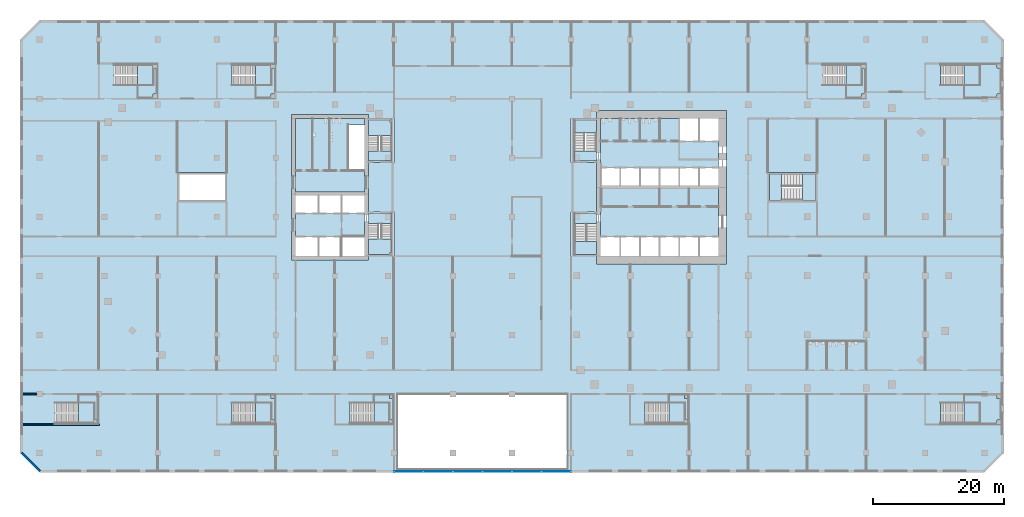
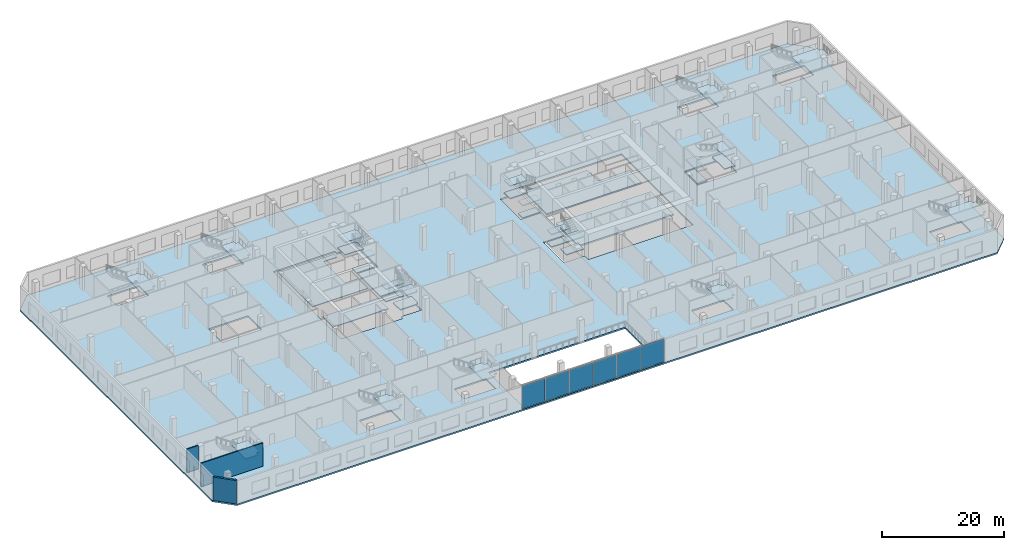
# One storey, part 5 of 23: 34 slabs, 6 plates, 3 walls, 17 elements without a shape of their own.
"""IFC4 building model written with IfcOpenShell, lengths in metres."""

from ifc_helpers import new_model, si_unit, direction, frame, frame_2d, origin, origin_2d, place, context, subcontext, project, spatial, polyline, rectangle, outline, extrude, material, layer, layer_set, type_object, element, aggregate, save


model = new_model("IFC4")

# Units and contexts
model_context = context("Model", 3, precision=1e-05, world=origin(), true_north=direction((0.0, 1.0)))
body_context = subcontext(model_context, "Body", "Model", "MODEL_VIEW")
ifc_project = project(units=[si_unit("LENGTHUNIT", "METRE"), si_unit("AREAUNIT", "SQUARE_METRE"), si_unit("VOLUMEUNIT", "CUBIC_METRE"), si_unit("PLANEANGLEUNIT", "RADIAN"), si_unit("MASSUNIT", "GRAM", prefix="KILO")], contexts=[model_context])

# Site, building, storey
site_placement = place(None, origin())
site = spatial("IfcSite", under=ifc_project, at=site_placement, CompositionType="ELEMENT")
building_placement = place(site_placement, origin())
building = spatial("IfcBuilding", under=site, at=building_placement, Name="Cinnabar Reach Civic Tower", CompositionType="ELEMENT")
storey_placement = place(building_placement, frame((0.0, 0.0, 6.0)))
storey = spatial("IfcBuildingStorey", under=building, at=storey_placement, Name="L01", CompositionType="ELEMENT", Elevation=6.0)

# Curtain wall, plates
ifc_material_1 = material(Name="Aluminium and clear double glazing", Category="aluminium")
curtain_wall_type = type_object("IfcCurtainWallType", Name="Hall front curtain wall", PredefinedType="NOTDEFINED", material=ifc_material_1)
curtain_wall_1_placement = place(storey_placement, origin())
curtain_wall_1 = element("IfcCurtainWall", 1, at=curtain_wall_1_placement, inside=storey, type_object=curtain_wall_type, Name="Hall front 3", PredefinedType="NOTDEFINED")
ifc_material_2 = material(Name="Clear double glazing", Category="glass")
ifc_layer_1 = layer(ifc_material_2, 0.028)
ifc_layer_set_1 = layer_set([ifc_layer_1], Name="Hall front glazing panel")
plate_type = type_object("IfcPlateType", Name="Hall front glazing panel", PredefinedType="CURTAIN_PANEL", material=ifc_layer_set_1)
plate_1_placement = place(storey_placement, frame((-24.735, -11.82, 0.06), z_axis=(0.0, 0.0, 1.0), x_axis=(1.0, 0.0, 0.0)))
plate_1 = element("IfcPlate", 2, at=plate_1_placement, type_object=plate_type, Name="CW-HALL-3 panel 1.1", PredefinedType="CURTAIN_PANEL", context=body_context, shape_type="SweptSolid", body=[
    extrude(rectangle(XDim=4.41, YDim=0.028, at=origin_2d()), origin(), (0.0, 0.0, 1.0), 4.58),
])
plate_2_placement = place(storey_placement, frame((-20.265, -11.82, 0.06), z_axis=(0.0, 0.0, 1.0), x_axis=(1.0, 0.0, 0.0)))
plate_2 = element("IfcPlate", 3, at=plate_2_placement, type_object=plate_type, Name="CW-HALL-3 panel 2.1", PredefinedType="CURTAIN_PANEL", context=body_context, shape_type="SweptSolid", body=[
    extrude(rectangle(XDim=4.41, YDim=0.028, at=origin_2d()), origin(), (0.0, 0.0, 1.0), 4.58),
])
aggregate(curtain_wall_1, [plate_1, plate_2])

curtain_wall_2_placement = place(storey_placement, origin())
curtain_wall_2 = element("IfcCurtainWall", 4, at=curtain_wall_2_placement, inside=storey, type_object=curtain_wall_type, Name="Hall front 4", PredefinedType="NOTDEFINED")
plate_3_placement = place(storey_placement, frame((-15.735, -11.82, 0.06), z_axis=(0.0, 0.0, 1.0), x_axis=(1.0, 0.0, 0.0)))
plate_3 = element("IfcPlate", 5, at=plate_3_placement, type_object=plate_type, Name="CW-HALL-4 panel 1.1", PredefinedType="CURTAIN_PANEL", context=body_context, shape_type="SweptSolid", body=[
    extrude(rectangle(XDim=4.41, YDim=0.028, at=origin_2d()), origin(), (0.0, 0.0, 1.0), 4.58),
])
plate_4_placement = place(storey_placement, frame((-11.265, -11.82, 0.06), z_axis=(0.0, 0.0, 1.0), x_axis=(1.0, 0.0, 0.0)))
plate_4 = element("IfcPlate", 6, at=plate_4_placement, type_object=plate_type, Name="CW-HALL-4 panel 2.1", PredefinedType="CURTAIN_PANEL", context=body_context, shape_type="SweptSolid", body=[
    extrude(rectangle(XDim=4.41, YDim=0.028, at=origin_2d()), origin(), (0.0, 0.0, 1.0), 4.58),
])
aggregate(curtain_wall_2, [plate_3, plate_4])

curtain_wall_3_placement = place(storey_placement, origin())
curtain_wall_3 = element("IfcCurtainWall", 7, at=curtain_wall_3_placement, inside=storey, type_object=curtain_wall_type, Name="Hall front 5", PredefinedType="NOTDEFINED")
plate_5_placement = place(storey_placement, frame((-6.735, -11.82, 0.06), z_axis=(0.0, 0.0, 1.0), x_axis=(1.0, 0.0, 0.0)))
plate_5 = element("IfcPlate", 8, at=plate_5_placement, type_object=plate_type, Name="CW-HALL-5 panel 1.1", PredefinedType="CURTAIN_PANEL", context=body_context, shape_type="SweptSolid", body=[
    extrude(rectangle(XDim=4.41, YDim=0.028, at=origin_2d()), origin(), (0.0, 0.0, 1.0), 4.58),
])
plate_6_placement = place(storey_placement, frame((-2.265, -11.82, 0.06), z_axis=(0.0, 0.0, 1.0), x_axis=(1.0, 0.0, 0.0)))
plate_6 = element("IfcPlate", 9, at=plate_6_placement, type_object=plate_type, Name="CW-HALL-5 panel 2.1", PredefinedType="CURTAIN_PANEL", context=body_context, shape_type="SweptSolid", body=[
    extrude(rectangle(XDim=4.41, YDim=0.028, at=origin_2d()), origin(), (0.0, 0.0, 1.0), 4.58),
])
aggregate(curtain_wall_3, [plate_5, plate_6])

# Stair, slab
ifc_material_3 = material(Name="Concrete C35", Category="concrete")
stair_type_1 = type_object("IfcStairType", Name="Podium exit stair 1500", PredefinedType="HALF_TURN_STAIR", material=ifc_material_3)
stair_1_placement = place(storey_placement, origin())
stair_1 = element("IfcStair", 10, at=stair_1_placement, inside=storey, type_object=stair_type_1, Name="Stair PS1", PredefinedType="HALF_TURN_STAIR")
ifc_material_4 = material(Name="Concrete C35/45", Category="concrete")
ifc_layer_2 = layer(ifc_material_4, 0.25)
ifc_layer_set_2 = layer_set([ifc_layer_2], Name="Podium exit stair landing 250")
slab_type_1 = type_object("IfcSlabType", Name="Podium exit stair landing 250", PredefinedType="LANDING", material=ifc_layer_set_2)
slab_1_placement = place(storey_placement, frame((0.0, 0.0, 2.25)))
slab_1 = element("IfcSlab", 11, at=slab_1_placement, type_object=slab_type_1, Name="PS1 landing 1", PredefinedType="LANDING", context=body_context, shape_type="SweptSolid", body=[
    extrude(outline(polyline([(-75.07, -4.55), (-75.07, -0.1), (-72.1, -0.1), (-72.1, -3.95), (-72.7, -3.95), (-72.7, -4.55), (-75.07, -4.55)])), origin(), (0.0, 0.0, 1.0), 0.25),
])
aggregate(stair_1, [slab_1])

stair_2_placement = place(storey_placement, origin())
stair_2 = element("IfcStair", 12, at=stair_2_placement, inside=storey, type_object=stair_type_1, Name="Stair PS2", PredefinedType="HALF_TURN_STAIR")
slab_2_placement = place(storey_placement, frame((0.0, 0.0, 2.25)))
slab_2 = element("IfcSlab", 13, at=slab_2_placement, type_object=slab_type_1, Name="PS2 landing 1", PredefinedType="LANDING", context=body_context, shape_type="SweptSolid", body=[
    extrude(outline(polyline([(-63.1, 45.7), (-63.7, 45.7), (-63.7, 45.1), (-66.07, 45.1), (-66.07, 50.25), (-63.7, 50.25), (-63.7, 49.65), (-63.1, 49.65), (-63.1, 45.7)])), origin(), (0.0, 0.0, 1.0), 0.25),
])
aggregate(stair_2, [slab_2])

stair_3_placement = place(storey_placement, origin())
stair_3 = element("IfcStair", 14, at=stair_3_placement, inside=storey, type_object=stair_type_1, Name="Stair PS3", PredefinedType="HALF_TURN_STAIR")
slab_3_placement = place(storey_placement, frame((0.0, 0.0, 2.25)))
slab_3 = element("IfcSlab", 15, at=slab_3_placement, type_object=slab_type_1, Name="PS3 landing 1", PredefinedType="LANDING", context=body_context, shape_type="SweptSolid", body=[
    extrude(outline(polyline([(17.9, -3.95), (17.3, -3.95), (17.3, -4.55), (14.93, -4.55), (14.93, -0.1), (17.3, -0.1), (17.3, -0.7), (17.9, -0.7), (17.9, -3.95)])), origin(), (0.0, 0.0, 1.0), 0.25),
])
aggregate(stair_3, [slab_3])

stair_4_placement = place(storey_placement, origin())
stair_4 = element("IfcStair", 16, at=stair_4_placement, inside=storey, type_object=stair_type_1, Name="Stair PS4", PredefinedType="HALF_TURN_STAIR")
slab_4_placement = place(storey_placement, frame((0.0, 0.0, 2.25)))
slab_4 = element("IfcSlab", 17, at=slab_4_placement, type_object=slab_type_1, Name="PS4 landing 1", PredefinedType="LANDING", context=body_context, shape_type="SweptSolid", body=[
    extrude(outline(polyline([(65.5, -3.95), (64.9, -3.95), (64.9, -4.55), (59.93, -4.55), (59.93, -0.1), (64.9, -0.1), (64.9, -0.7), (65.5, -0.7), (65.5, -3.95)])), origin(), (0.0, 0.0, 1.0), 0.25),
])
aggregate(stair_4, [slab_4])

stair_5_placement = place(storey_placement, origin())
stair_5 = element("IfcStair", 18, at=stair_5_placement, inside=storey, type_object=stair_type_1, Name="Stair PS5", PredefinedType="HALF_TURN_STAIR")
slab_5_placement = place(storey_placement, frame((0.0, 0.0, 2.25)))
slab_5 = element("IfcSlab", 19, at=slab_5_placement, type_object=slab_type_1, Name="PS5 landing 1", PredefinedType="LANDING", context=body_context, shape_type="SweptSolid", body=[
    extrude(outline(polyline([(65.5, 45.7), (64.9, 45.7), (64.9, 45.1), (59.93, 45.1), (59.93, 50.25), (64.9, 50.25), (64.9, 49.65), (65.5, 49.65), (65.5, 45.7)])), origin(), (0.0, 0.0, 1.0), 0.25),
])
aggregate(stair_5, [slab_5])

stair_6_placement = place(storey_placement, origin())
stair_6 = element("IfcStair", 20, at=stair_6_placement, inside=storey, type_object=stair_type_1, Name="Stair PS6", PredefinedType="HALF_TURN_STAIR")
slab_6_placement = place(storey_placement, frame((0.0, 0.0, 2.25)))
slab_6 = element("IfcSlab", 21, at=slab_6_placement, type_object=slab_type_1, Name="PS6 landing 1", PredefinedType="LANDING", context=body_context, shape_type="SweptSolid", body=[
    extrude(outline(polyline([(44.9, 45.7), (44.3, 45.7), (44.3, 45.1), (41.93, 45.1), (41.93, 50.25), (44.3, 50.25), (44.3, 49.65), (44.9, 49.65), (44.9, 45.7)])), origin(), (0.0, 0.0, 1.0), 0.25),
])
aggregate(stair_6, [slab_6])

stair_7_placement = place(storey_placement, origin())
stair_7 = element("IfcStair", 22, at=stair_7_placement, inside=storey, type_object=stair_type_1, Name="Stair PS7", PredefinedType="HALF_TURN_STAIR")
slab_7_placement = place(storey_placement, frame((0.0, 0.0, 2.25)))
slab_7 = element("IfcSlab", 23, at=slab_7_placement, type_object=slab_type_1, Name="PS7 landing 1", PredefinedType="LANDING", context=body_context, shape_type="SweptSolid", body=[
    extrude(outline(polyline([(-45.1, 45.7), (-45.7, 45.7), (-45.7, 45.1), (-48.07, 45.1), (-48.07, 50.25), (-45.7, 50.25), (-45.7, 49.65), (-45.1, 49.65), (-45.1, 45.7)])), origin(), (0.0, 0.0, 1.0), 0.25),
])
aggregate(stair_7, [slab_7])

stair_8_placement = place(storey_placement, origin())
stair_8 = element("IfcStair", 24, at=stair_8_placement, inside=storey, type_object=stair_type_1, Name="Stair PS8", PredefinedType="HALF_TURN_STAIR")
slab_8_placement = place(storey_placement, frame((0.0, 0.0, 2.25)))
slab_8 = element("IfcSlab", 25, at=slab_8_placement, type_object=slab_type_1, Name="PS8 landing 1", PredefinedType="LANDING", context=body_context, shape_type="SweptSolid", body=[
    extrude(outline(polyline([(-45.1, -3.95), (-45.7, -3.95), (-45.7, -4.55), (-48.07, -4.55), (-48.07, -0.1), (-45.7, -0.1), (-45.7, -0.7), (-45.1, -0.7), (-45.1, -3.95)])), origin(), (0.0, 0.0, 1.0), 0.25),
])
aggregate(stair_8, [slab_8])

stair_9_placement = place(storey_placement, origin())
stair_9 = element("IfcStair", 26, at=stair_9_placement, inside=storey, type_object=stair_type_1, Name="Stair PS9", PredefinedType="HALF_TURN_STAIR")
slab_9_placement = place(storey_placement, frame((0.0, 0.0, 2.25)))
slab_9 = element("IfcSlab", 27, at=slab_9_placement, type_object=slab_type_1, Name="PS9 landing 1", PredefinedType="LANDING", context=body_context, shape_type="SweptSolid", body=[
    extrude(outline(polyline([(-27.1, -3.95), (-27.7, -3.95), (-27.7, -4.55), (-30.07, -4.55), (-30.07, -0.1), (-27.7, -0.1), (-27.7, -0.7), (-27.1, -0.7), (-27.1, -3.95)])), origin(), (0.0, 0.0, 1.0), 0.25),
])
aggregate(stair_9, [slab_9])

# Slab
ifc_material_5 = material(Name="Concrete C40", Category="concrete")
ifc_layer_3 = layer(ifc_material_5, 0.3)
ifc_layer_set_3 = layer_set([ifc_layer_3], Name="Podium flat plate 300 REI 150")
slab_type_2 = type_object("IfcSlabType", Name="Podium flat plate 300 REI 150", PredefinedType="FLOOR", material=ifc_layer_set_3)
slab_10_placement = place(storey_placement, frame((0.0, 0.0, -0.3)))
element("IfcSlab", 28, at=slab_10_placement, inside=storey, type_object=slab_type_2, Name="Podium flat plate 300 L01", PredefinedType="FLOOR", context=body_context, shape_type="SweptSolid", body=[
    extrude(outline(polyline([(-84.0, -9.0), (-84.0, 54.0), (-81.0, 57.0), (63.0, 57.0), (66.0, 54.0), (66.0, -9.0), (63.0, -12.0), (-81.0, -12.0), (-84.0, -9.0)]), holes=[polyline([(-78.7, -1.3), (-78.7, -4.5), (-72.7, -4.5), (-72.7, -1.3), (-78.7, -1.3)]), polyline([(-45.7, -1.3), (-51.7, -1.3), (-51.7, -4.5), (-45.7, -4.5), (-45.7, -1.3)]), polyline([(-27.7, -1.3), (-33.7, -1.3), (-33.7, -4.5), (-27.7, -4.5), (-27.7, -1.3)]), polyline([(-52.5, 33.75), (-60.0, 33.75), (-60.0, 29.25), (-52.5, 29.25), (-52.5, 33.75)]), polyline([(-42.6, 20.4), (-30.9, 20.4), (-30.9, 21.0), (-27.0, 21.0), (-27.0, 27.75), (-30.9, 27.75), (-30.9, 35.25), (-27.0, 35.25), (-27.0, 42.0), (-30.9, 42.0), (-30.9, 42.6), (-42.6, 42.6), (-42.6, 20.4)]), polyline([(-63.7, 50.2), (-69.7, 50.2), (-69.7, 47.0), (-63.7, 47.0), (-63.7, 50.2)]), polyline([(-45.7, 50.2), (-51.7, 50.2), (-51.7, 47.0), (-45.7, 47.0), (-45.7, 50.2)]), polyline([(-26.4, 0.0), (-26.4, -11.4), (-0.6, -11.4), (-0.6, 0.0), (-26.4, 0.0)]), polyline([(17.3, -1.3), (11.3, -1.3), (11.3, -4.5), (17.3, -4.5), (17.3, -1.3)]), polyline([(62.3, -1.3), (56.3, -1.3), (56.3, -4.5), (62.3, -4.5), (62.3, -1.3)]), polyline([(3.9, 42.0), (0.0, 42.0), (0.0, 35.25), (3.9, 35.25), (3.9, 27.75), (0.0, 27.75), (0.0, 21.0), (3.9, 21.0), (3.9, 19.8), (23.7, 19.8), (23.7, 43.2), (3.9, 43.2), (3.9, 42.0)]), polyline([(37.5, 33.75), (30.0, 33.75), (30.0, 29.25), (37.5, 29.25), (37.5, 33.75)]), polyline([(44.3, 47.0), (44.3, 50.2), (38.3, 50.2), (38.3, 47.0), (44.3, 47.0)]), polyline([(62.3, 47.0), (62.3, 50.2), (56.3, 50.2), (56.3, 47.0), (62.3, 47.0)])]), origin(), (0.0, 0.0, 1.0), 0.3),
])

# Stair, slabs
ifc_material_6 = material(Name="Concrete C40/50", Category="concrete")
stair_type_2 = type_object("IfcStairType", Name="T1 Exit stair, double return", PredefinedType="DOUBLE_RETURN_STAIR", material=ifc_material_6)
stair_10_placement = place(storey_placement, origin())
stair_10 = element("IfcStair", 29, at=stair_10_placement, inside=storey, type_object=stair_type_2, Name="Stair T1-S1", PredefinedType="DOUBLE_RETURN_STAIR")
ifc_layer_4 = layer(ifc_material_6, 0.2)
ifc_layer_set_4 = layer_set([ifc_layer_4], Name="T1 Stair landing 200, Concrete C40/50")
slab_type_3 = type_object("IfcSlabType", Name="T1 Stair landing 200, Concrete C40/50", PredefinedType="LANDING", material=ifc_layer_set_4)
slab_11_placement = place(storey_placement, frame((0.0, 0.0, -0.2)))
slab_11 = element("IfcSlab", 30, at=slab_11_placement, type_object=slab_type_3, Name="T1-S1 landing 1", PredefinedType="LANDING", context=body_context, shape_type="SweptSolid", body=[
    extrude(outline(polyline([(3.9, 25.95), (3.9, 27.5), (0.5, 27.5), (0.5, 25.95), (3.9, 25.95)])), origin(), (0.0, 0.0, 1.0), 0.2),
])
slab_12_placement = place(storey_placement, frame((0.0, 0.0, 1.05)))
slab_12 = element("IfcSlab", 31, at=slab_12_placement, type_object=slab_type_3, Name="T1-S1 landing 2", PredefinedType="LANDING", context=body_context, shape_type="SweptSolid", body=[
    extrude(outline(polyline([(3.9, 21.25), (3.9, 23.205), (0.6, 23.205), (0.6, 21.25), (3.9, 21.25)])), origin(), (0.0, 0.0, 1.0), 0.2),
])
slab_13_placement = place(storey_placement, frame((0.0, 0.0, 2.3)))
slab_13 = element("IfcSlab", 32, at=slab_13_placement, type_object=slab_type_3, Name="T1-S1 landing 3", PredefinedType="LANDING", context=body_context, shape_type="SweptSolid", body=[
    extrude(outline(polyline([(3.9, 25.95), (3.9, 27.5), (0.5, 27.5), (0.5, 25.95), (3.9, 25.95)])), origin(), (0.0, 0.0, 1.0), 0.2),
])
slab_14_placement = place(storey_placement, frame((0.0, 0.0, 3.55)))
slab_14 = element("IfcSlab", 33, at=slab_14_placement, type_object=slab_type_3, Name="T1-S1 landing 4", PredefinedType="LANDING", context=body_context, shape_type="SweptSolid", body=[
    extrude(outline(polyline([(3.9, 21.25), (3.9, 23.205), (0.6, 23.205), (0.6, 21.25), (3.9, 21.25)])), origin(), (0.0, 0.0, 1.0), 0.2),
])
aggregate(stair_10, [slab_11, slab_12, slab_13, slab_14])

stair_11_placement = place(storey_placement, origin())
stair_11 = element("IfcStair", 34, at=stair_11_placement, inside=storey, type_object=stair_type_2, Name="Stair T1-S2", PredefinedType="DOUBLE_RETURN_STAIR")
slab_15_placement = place(storey_placement, frame((0.0, 0.0, -0.2)))
slab_15 = element("IfcSlab", 35, at=slab_15_placement, type_object=slab_type_3, Name="T1-S2 landing 1", PredefinedType="LANDING", context=body_context, shape_type="SweptSolid", body=[
    extrude(outline(polyline([(3.9, 35.5), (3.9, 37.05), (0.5, 37.05), (0.5, 35.5), (3.9, 35.5)])), origin(), (0.0, 0.0, 1.0), 0.2),
])
slab_16_placement = place(storey_placement, frame((0.0, 0.0, 1.05)))
slab_16 = element("IfcSlab", 36, at=slab_16_placement, type_object=slab_type_3, Name="T1-S2 landing 2", PredefinedType="LANDING", context=body_context, shape_type="SweptSolid", body=[
    extrude(outline(polyline([(3.9, 39.795), (3.9, 41.75), (0.6, 41.75), (0.6, 39.795), (3.9, 39.795)])), origin(), (0.0, 0.0, 1.0), 0.2),
])
slab_17_placement = place(storey_placement, frame((0.0, 0.0, 2.3)))
slab_17 = element("IfcSlab", 37, at=slab_17_placement, type_object=slab_type_3, Name="T1-S2 landing 3", PredefinedType="LANDING", context=body_context, shape_type="SweptSolid", body=[
    extrude(outline(polyline([(3.9, 35.5), (3.9, 37.05), (0.5, 37.05), (0.5, 35.5), (3.9, 35.5)])), origin(), (0.0, 0.0, 1.0), 0.2),
])
slab_18_placement = place(storey_placement, frame((0.0, 0.0, 3.55)))
slab_18 = element("IfcSlab", 38, at=slab_18_placement, type_object=slab_type_3, Name="T1-S2 landing 4", PredefinedType="LANDING", context=body_context, shape_type="SweptSolid", body=[
    extrude(outline(polyline([(3.9, 39.795), (3.9, 41.75), (0.6, 41.75), (0.6, 39.795), (3.9, 39.795)])), origin(), (0.0, 0.0, 1.0), 0.2),
])
aggregate(stair_11, [slab_15, slab_16, slab_17, slab_18])

stair_12_placement = place(storey_placement, origin())
stair_12 = element("IfcStair", 39, at=stair_12_placement, inside=storey, type_object=stair_type_2, Name="Stair T1-S3", PredefinedType="DOUBLE_RETURN_STAIR")
slab_19_placement = place(storey_placement, frame((0.0, 0.0, -0.2)))
slab_19 = element("IfcSlab", 40, at=slab_19_placement, type_object=slab_type_3, Name="T1-S3 landing 1", PredefinedType="LANDING", context=body_context, shape_type="SweptSolid", body=[
    extrude(outline(polyline([(30.25, 29.5), (32.05, 29.5), (32.05, 33.5), (30.25, 33.5), (30.25, 29.5)])), origin(), (0.0, 0.0, 1.0), 0.2),
])
slab_20_placement = place(storey_placement, frame((0.0, 0.0, 1.05)))
slab_20 = element("IfcSlab", 41, at=slab_20_placement, type_object=slab_type_3, Name="T1-S3 landing 2", PredefinedType="LANDING", context=body_context, shape_type="SweptSolid", body=[
    extrude(outline(polyline([(35.29, 29.5), (37.25, 29.5), (37.25, 33.5), (35.29, 33.5), (35.29, 29.5)])), origin(), (0.0, 0.0, 1.0), 0.2),
])
slab_21_placement = place(storey_placement, frame((0.0, 0.0, 2.3)))
slab_21 = element("IfcSlab", 42, at=slab_21_placement, type_object=slab_type_3, Name="T1-S3 landing 3", PredefinedType="LANDING", context=body_context, shape_type="SweptSolid", body=[
    extrude(outline(polyline([(30.25, 29.5), (32.05, 29.5), (32.05, 33.5), (30.25, 33.5), (30.25, 29.5)])), origin(), (0.0, 0.0, 1.0), 0.2),
])
slab_22_placement = place(storey_placement, frame((0.0, 0.0, 3.55)))
slab_22 = element("IfcSlab", 43, at=slab_22_placement, type_object=slab_type_3, Name="T1-S3 landing 4", PredefinedType="LANDING", context=body_context, shape_type="SweptSolid", body=[
    extrude(outline(polyline([(35.29, 29.5), (37.25, 29.5), (37.25, 33.5), (35.29, 33.5), (35.29, 29.5)])), origin(), (0.0, 0.0, 1.0), 0.2),
])
aggregate(stair_12, [slab_19, slab_20, slab_21, slab_22])

# Slabs
ifc_layer_5 = layer(ifc_material_6, 0.3)
ifc_layer_set_5 = layer_set([ifc_layer_5], Name="T1 core floor slab 300")
slab_type_4 = type_object("IfcSlabType", Name="T1 core floor slab 300", PredefinedType="FLOOR", material=ifc_layer_set_5)
slab_23_placement = place(storey_placement, frame((0.0, 0.0, -0.3)))
element("IfcSlab", 44, at=slab_23_placement, inside=storey, type_object=slab_type_4, Name="Core floor slab L01", PredefinedType="FLOOR", context=body_context, shape_type="SweptSolid", body=[
    extrude(outline(polyline([(22.5, 24.0), (19.5, 24.0), (16.5, 24.0), (13.5, 24.0), (10.5, 24.0), (7.5, 24.0), (4.5, 24.0), (4.5, 31.5), (7.5, 31.5), (10.5, 31.5), (13.5, 31.5), (16.5, 31.5), (19.5, 31.5), (22.5, 31.5), (22.5, 24.0)])), origin(), (0.0, 0.0, 1.0), 0.3),
])
slab_24_placement = place(storey_placement, frame((0.0, 0.0, -0.3)))
element("IfcSlab", 45, at=slab_24_placement, inside=storey, type_object=slab_type_4, Name="Core floor slab L01", PredefinedType="FLOOR", context=body_context, shape_type="SweptSolid", body=[
    extrude(outline(polyline([(22.5, 34.5), (19.5, 34.5), (16.5, 34.5), (13.5, 34.5), (10.5, 34.5), (7.5, 34.5), (4.5, 34.5), (4.5, 42.0), (16.5, 42.0), (16.5, 38.5), (19.5, 38.5), (22.5, 38.5), (22.5, 34.5)])), origin(), (0.0, 0.0, 1.0), 0.3),
])
ifc_layer_6 = layer(ifc_material_5, 0.15)
ifc_layer_set_6 = layer_set([ifc_layer_6], Name="T2 Core floor slab 150")
slab_type_5 = type_object("IfcSlabType", Name="T2 Core floor slab 150", PredefinedType="FLOOR", material=ifc_layer_set_6)
slab_25_placement = place(storey_placement, frame((0.0, 0.0, -0.15)))
element("IfcSlab", 46, at=slab_25_placement, inside=storey, type_object=slab_type_5, Name="Core floor slab L01", PredefinedType="FLOOR", context=body_context, shape_type="SweptSolid", body=[
    extrude(outline(polyline([(-42.0, 42.0), (-31.5, 42.0), (-31.5, 41.0), (-34.0, 41.0), (-34.0, 34.0), (-31.5, 34.0), (-31.5, 30.75), (-42.0, 30.75), (-42.0, 42.0)])), origin(), (0.0, 0.0, 1.0), 0.15),
])
slab_26_placement = place(storey_placement, frame((0.0, 0.0, -0.15)))
element("IfcSlab", 47, at=slab_26_placement, inside=storey, type_object=slab_type_5, Name="Core floor slab L01", PredefinedType="FLOOR", context=body_context, shape_type="SweptSolid", body=[
    extrude(outline(polyline([(-35.0, 24.0), (-38.5, 24.0), (-42.0, 24.0), (-42.0, 27.5), (-38.5, 27.5), (-35.0, 27.5), (-31.5, 27.5), (-31.5, 24.0), (-35.0, 24.0)])), origin(), (0.0, 0.0, 1.0), 0.15),
])

# Stair, slabs
stair_type_3 = type_object("IfcStairType", Name="T2 Exit stair 1500", PredefinedType="HALF_TURN_STAIR", material=ifc_material_5)
stair_13_placement = place(storey_placement, origin())
stair_13 = element("IfcStair", 48, at=stair_13_placement, inside=storey, type_object=stair_type_3, Name="Exit stair 1", PredefinedType="HALF_TURN_STAIR")
ifc_layer_7 = layer(ifc_material_5, 0.2)
ifc_layer_set_7 = layer_set([ifc_layer_7], Name="T2 Stair landing 200")
slab_type_6 = type_object("IfcSlabType", Name="T2 Stair landing 200", PredefinedType="LANDING", material=ifc_layer_set_7)
slab_27_placement = place(storey_placement, frame((0.0, 0.0, -0.2)))
slab_27 = element("IfcSlab", 49, at=slab_27_placement, type_object=slab_type_6, Name="ST1 landing 1", PredefinedType="LANDING", context=body_context, shape_type="SweptSolid", body=[
    extrude(outline(polyline([(-30.9, 26.0), (-30.9, 27.5), (-27.4, 27.5), (-27.4, 26.0), (-30.9, 26.0)])), origin(), (0.0, 0.0, 1.0), 0.2),
])
slab_28_placement = place(storey_placement, frame((0.0, 0.0, 1.05)))
slab_28 = element("IfcSlab", 50, at=slab_28_placement, type_object=slab_type_6, Name="ST1 landing 2", PredefinedType="LANDING", context=body_context, shape_type="SweptSolid", body=[
    extrude(outline(polyline([(-30.9, 21.25), (-30.9, 23.6375), (-27.4, 23.6375), (-27.4, 21.55), (-27.7, 21.55), (-27.7, 21.25), (-30.9, 21.25)])), origin(), (0.0, 0.0, 1.0), 0.2),
])
slab_29_placement = place(storey_placement, frame((0.0, 0.0, 2.3)))
slab_29 = element("IfcSlab", 51, at=slab_29_placement, type_object=slab_type_6, Name="ST1 landing 3", PredefinedType="LANDING", context=body_context, shape_type="SweptSolid", body=[
    extrude(outline(polyline([(-30.9, 26.0), (-30.9, 27.5), (-27.4, 27.5), (-27.4, 26.0), (-30.9, 26.0)])), origin(), (0.0, 0.0, 1.0), 0.2),
])
slab_30_placement = place(storey_placement, frame((0.0, 0.0, 3.55)))
slab_30 = element("IfcSlab", 52, at=slab_30_placement, type_object=slab_type_6, Name="ST1 landing 4", PredefinedType="LANDING", context=body_context, shape_type="SweptSolid", body=[
    extrude(outline(polyline([(-30.9, 21.25), (-30.9, 23.6375), (-27.4, 23.6375), (-27.4, 21.55), (-27.7, 21.55), (-27.7, 21.25), (-30.9, 21.25)])), origin(), (0.0, 0.0, 1.0), 0.2),
])
aggregate(stair_13, [slab_27, slab_28, slab_29, slab_30])

stair_14_placement = place(storey_placement, origin())
stair_14 = element("IfcStair", 53, at=stair_14_placement, inside=storey, type_object=stair_type_3, Name="Exit stair 2", PredefinedType="HALF_TURN_STAIR")
slab_31_placement = place(storey_placement, frame((0.0, 0.0, -0.2)))
slab_31 = element("IfcSlab", 54, at=slab_31_placement, type_object=slab_type_6, Name="ST2 landing 1", PredefinedType="LANDING", context=body_context, shape_type="SweptSolid", body=[
    extrude(outline(polyline([(-30.9, 35.5), (-30.9, 37.0), (-27.4, 37.0), (-27.4, 35.5), (-30.9, 35.5)])), origin(), (0.0, 0.0, 1.0), 0.2),
])
slab_32_placement = place(storey_placement, frame((0.0, 0.0, 1.05)))
slab_32 = element("IfcSlab", 55, at=slab_32_placement, type_object=slab_type_6, Name="ST2 landing 2", PredefinedType="LANDING", context=body_context, shape_type="SweptSolid", body=[
    extrude(outline(polyline([(-27.4, 39.3625), (-30.9, 39.3625), (-30.9, 41.75), (-27.7, 41.75), (-27.7, 41.45), (-27.4, 41.45), (-27.4, 39.3625)])), origin(), (0.0, 0.0, 1.0), 0.2),
])
slab_33_placement = place(storey_placement, frame((0.0, 0.0, 2.3)))
slab_33 = element("IfcSlab", 56, at=slab_33_placement, type_object=slab_type_6, Name="ST2 landing 3", PredefinedType="LANDING", context=body_context, shape_type="SweptSolid", body=[
    extrude(outline(polyline([(-30.9, 35.5), (-30.9, 37.0), (-27.4, 37.0), (-27.4, 35.5), (-30.9, 35.5)])), origin(), (0.0, 0.0, 1.0), 0.2),
])
slab_34_placement = place(storey_placement, frame((0.0, 0.0, 3.55)))
slab_34 = element("IfcSlab", 57, at=slab_34_placement, type_object=slab_type_6, Name="ST2 landing 4", PredefinedType="LANDING", context=body_context, shape_type="SweptSolid", body=[
    extrude(outline(polyline([(-27.4, 39.3625), (-30.9, 39.3625), (-30.9, 41.75), (-27.7, 41.75), (-27.7, 41.45), (-27.4, 41.45), (-27.4, 39.3625)])), origin(), (0.0, 0.0, 1.0), 0.2),
])
aggregate(stair_14, [slab_31, slab_32, slab_33, slab_34])

# Walls
ifc_material_7 = material(Name="Facing brick with insulated backing", Category="masonry")
ifc_layer_8 = layer(ifc_material_7, 0.36)
ifc_layer_set_8 = layer_set([ifc_layer_8], Name="Brick corner wall")
wall_type_1 = type_object("IfcWallType", Name="Brick corner wall", PredefinedType="STANDARD", material=ifc_layer_set_8)
wall_1_placement = place(storey_placement, frame((-83.7843, -8.9611, 0.0), z_axis=(0.0, 0.0, 1.0), x_axis=(0.707106781187, -0.707106781187, 0.0)))
element("IfcWall", 58, at=wall_1_placement, inside=storey, type_object=wall_type_1, Name="Brick corner wall", PredefinedType="STANDARD", context=body_context, shape_type="SweptSolid", body=[
    extrude(rectangle(XDim=3.9926, YDim=0.36, at=frame_2d((1.9963, 0.0))), origin(), (0.0, 0.0, 1.0), 4.7),
])
ifc_layer_9 = layer(ifc_material_5, 0.2)
ifc_layer_set_9 = layer_set([ifc_layer_9], Name="Podium stair shaft wall 200 EI 120")
wall_type_2 = type_object("IfcWallType", Name="Podium stair shaft wall 200 EI 120", PredefinedType="SOLIDWALL", material=ifc_layer_set_9)
wall_2_placement = place(storey_placement, frame((-83.6, 0.0, 0.0), z_axis=(0.0, 0.0, 1.0), x_axis=(1.0, 0.0, 0.0)))
element("IfcWall", 59, at=wall_2_placement, inside=storey, type_object=wall_type_2, Name="Wall L01 1", PredefinedType="SOLIDWALL", context=body_context, shape_type="SweptSolid", body=[
    extrude(rectangle(XDim=2.13, YDim=0.2, at=frame_2d((1.065, 0.0))), origin(), (0.0, 0.0, 1.0), 4.7),
])
wall_3_placement = place(storey_placement, frame((-83.6, -4.65, 0.0), z_axis=(0.0, 0.0, 1.0), x_axis=(1.0, 0.0, 0.0)))
element("IfcWall", 60, at=wall_3_placement, inside=storey, type_object=wall_type_2, Name="Wall L01 4", PredefinedType="SOLIDWALL", context=body_context, shape_type="SweptSolid", body=[
    extrude(rectangle(XDim=11.7, YDim=0.2, at=frame_2d((5.85, 0.0))), origin(), (0.0, 0.0, 1.0), 4.7),
])

save(model, "model.ifc")
